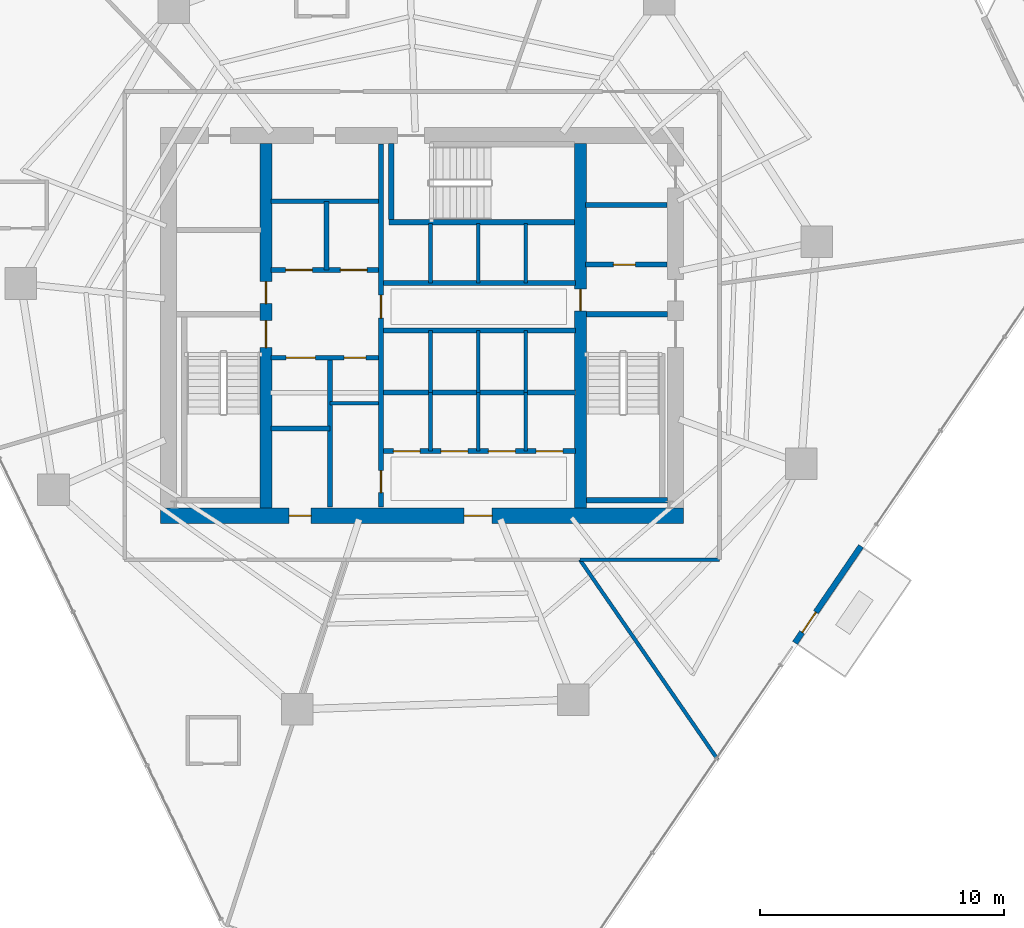
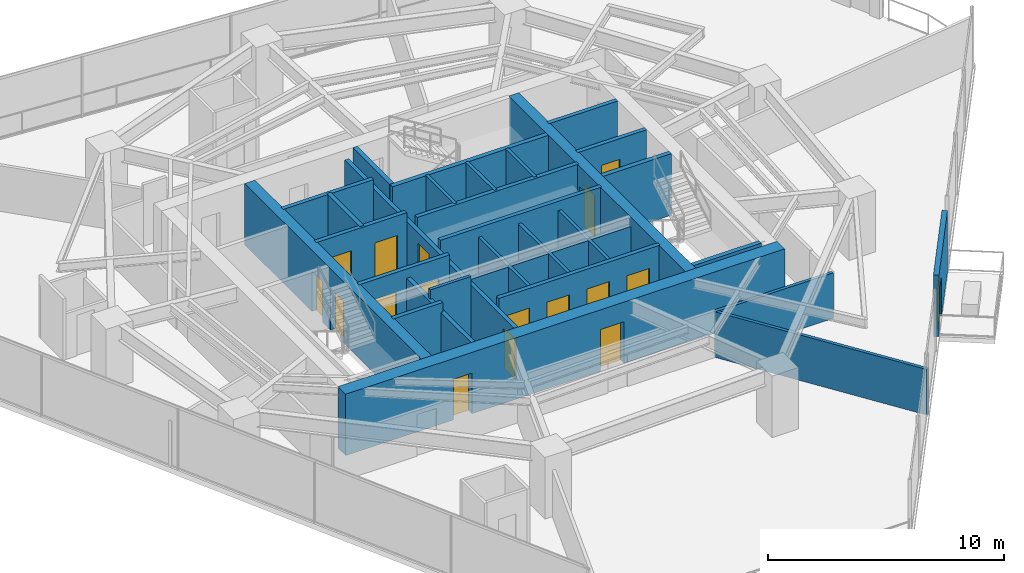
# One storey, part 26 of 30: 33 walls, 17 doors, 17 openings.
"""IFC4 building model written with IfcOpenShell, lengths in metres."""

from ifc_helpers import new_model, si_unit, direction, frame, frame_2d, origin, place, context, subcontext, project, spatial, rectangle, extrude, material, layer, layer_set, type_object, element, fill, save


model = new_model("IFC4")

# Units and contexts
model_context = context("Model", 3, precision=1e-05, world=origin(), true_north=direction((0.0, 1.0)))
body_context = subcontext(model_context, "Body", "Model", "MODEL_VIEW")
ifc_project = project(units=[si_unit("LENGTHUNIT", "METRE"), si_unit("AREAUNIT", "SQUARE_METRE"), si_unit("VOLUMEUNIT", "CUBIC_METRE"), si_unit("PLANEANGLEUNIT", "RADIAN"), si_unit("MASSUNIT", "GRAM", prefix="KILO")], contexts=[model_context])

# Site, building, storey
site_placement = place(None, origin())
site = spatial("IfcSite", under=ifc_project, at=site_placement, CompositionType="ELEMENT")
building_placement = place(site_placement, origin())
building = spatial("IfcBuilding", under=site, at=building_placement, Name="Qarnah Convention Tower", CompositionType="ELEMENT")
storey_placement = place(building_placement, frame((0.0, 0.0, 51.14990234375)))
storey = spatial("IfcBuildingStorey", under=building, at=storey_placement, Name="L12", CompositionType="ELEMENT", Elevation=51.14990234375)

# Wall, openings, doors
ifc_material_1 = material(Name="Concrete C60/75", Category="concrete")
ifc_layer_1 = layer(ifc_material_1, 0.64990234375)
ifc_layer_set_1 = layer_set([ifc_layer_1], Name="Concrete C60/75")
wall_type_1 = type_object("IfcWallType", Name="WL-CORE-650", PredefinedType="SHEAR", material=ifc_layer_set_1)
wall_1_placement = place(storey_placement, frame((26.47509765625, 18.60009765625, 0.0), z_axis=(0.0, 0.0, 1.0), x_axis=(1.0, 0.0, 0.0)))
wall_1 = element("IfcWall", 1, at=wall_1_placement, inside=storey, type_object=wall_type_1, Name="L12 core south shear wall", PredefinedType="SHEAR", context=body_context, shape_type="SweptSolid", body=[
    extrude(rectangle(XDim=21.449951171875, YDim=0.64990234375, at=frame_2d((10.72509765625, 0.0))), origin(), (0.0, 0.0, 1.0), 3.170166015625),
])
opening_1_placement = place(wall_1_placement, frame((12.449951171875, 0.0, 0.0)))
opening_1 = element("IfcOpeningElement", 2, at=opening_1_placement, cuts=wall_1, Name="Opening D-1207", PredefinedType="OPENING", context=body_context, shape_type="SweptSolid", body=[
    extrude(rectangle(XDim=1.14990234375, YDim=2.14990234375, at=frame_2d((0.574951171875, 1.074951171875))), frame((0.0, 0.3349609375, 0.0), z_axis=(0.0, -1.0, 0.0), x_axis=(1.0, 0.0, 0.0)), (0.0, 0.0, 1.0), 0.669921875),
])
opening_2_placement = place(wall_1_placement, frame((5.27490234375, 0.0, 0.0)))
opening_2 = element("IfcOpeningElement", 3, at=opening_2_placement, cuts=wall_1, Name="Opening D-1213", PredefinedType="OPENING", context=body_context, shape_type="SweptSolid", body=[
    extrude(rectangle(XDim=0.89990234375, YDim=2.10009765625, at=frame_2d((0.449951171875, 1.050048828125))), frame((0.0, 0.3349609375, 0.0), z_axis=(0.0, -1.0, 0.0), x_axis=(1.0, 0.0, 0.0)), (0.0, 0.0, 1.0), 0.669921875),
])
ifc_material_2 = material(Name="Structural steel S355JR", Category="steel")
door_type_1 = type_object("IfcDoorType", Name="DT-LOBBY-1150", OperationType="NOTDEFINED", PredefinedType="DOOR", material=ifc_material_2)
door_1_placement = place(opening_1_placement, origin())
door_1 = element("IfcDoor", 4, at=door_1_placement, inside=storey, type_object=door_type_1, Name="Door D-1207", OperationType="SINGLE_SWING_LEFT", OverallHeight=2.14990234375, OverallWidth=1.14990234375, PredefinedType="DOOR", context=body_context, shape_type="SweptSolid", body=[
    extrude(rectangle(XDim=1.14990234375, YDim=2.14990234375, at=frame_2d((0.574951171875, 1.074951171875))), frame((0.0, 0.02490234375, 0.0), z_axis=(0.0, -1.0, 0.0), x_axis=(1.0, 0.0, 0.0)), (0.0, 0.0, 1.0), 0.050048828125),
])
fill(opening_1, door_1)
door_type_2 = type_object("IfcDoorType", Name="DT-RISER-900", OperationType="NOTDEFINED", PredefinedType="DOOR", material=ifc_material_2)
door_2_placement = place(opening_2_placement, origin())
door_2 = element("IfcDoor", 5, at=door_2_placement, inside=storey, type_object=door_type_2, Name="Door D-1213", OperationType="SINGLE_SWING_LEFT", OverallHeight=2.10009765625, OverallWidth=0.89990234375, PredefinedType="DOOR", context=body_context, shape_type="SweptSolid", body=[
    extrude(rectangle(XDim=0.89990234375, YDim=2.10009765625, at=frame_2d((0.449951171875, 1.050048828125))), frame((0.0, 0.02490234375, 0.0), z_axis=(0.0, -1.0, 0.0), x_axis=(1.0, 0.0, 0.0)), (0.0, 0.0, 1.0), 0.050048828125),
])
fill(opening_2, door_2)

ifc_layer_2 = layer(ifc_material_1, 0.5)
ifc_layer_set_2 = layer_set([ifc_layer_2], Name="Concrete C60/75")
wall_type_2 = type_object("IfcWallType", Name="WL-CORE-INT-400", PredefinedType="SHEAR", material=ifc_layer_set_2)
wall_2_placement = place(storey_placement, frame((30.800048828125, 18.925048828125, 0.0), z_axis=(0.0, 0.0, 1.0), x_axis=(0.0, 1.0, 0.0)))
wall_2 = element("IfcWall", 6, at=wall_2_placement, inside=storey, type_object=wall_type_2, Name="L12 core west spine shear wall", PredefinedType="SHEAR", context=body_context, shape_type="SweptSolid", body=[
    extrude(rectangle(XDim=14.949951171875, YDim=0.5, at=frame_2d((7.47509765625, 0.0))), origin(), (0.0, 0.0, 1.0), 3.170166015625),
])
opening_3_placement = place(wall_2_placement, frame((6.574951171875, 0.0, 0.0)))
opening_3 = element("IfcOpeningElement", 7, at=opening_3_placement, cuts=wall_2, Name="Opening D-1201", PredefinedType="OPENING", context=body_context, shape_type="SweptSolid", body=[
    extrude(rectangle(XDim=1.10009765625, YDim=2.14990234375, at=frame_2d((0.550048828125, 1.074951171875))), frame((0.0, 0.260009765625, 0.0), z_axis=(0.0, -1.0, 0.0), x_axis=(1.0, 0.0, 0.0)), (0.0, 0.0, 1.0), 0.52001953125),
])
opening_4_placement = place(wall_2_placement, frame((8.375, 0.0, 0.0)))
opening_4 = element("IfcOpeningElement", 8, at=opening_4_placement, cuts=wall_2, Name="Opening D-1208", PredefinedType="OPENING", context=body_context, shape_type="SweptSolid", body=[
    extrude(rectangle(XDim=0.89990234375, YDim=2.10009765625, at=frame_2d((0.449951171875, 1.050048828125))), frame((0.0, 0.260009765625, 0.0), z_axis=(0.0, -1.0, 0.0), x_axis=(1.0, 0.0, 0.0)), (0.0, 0.0, 1.0), 0.52001953125),
])
door_3_placement = place(opening_4_placement, origin())
door_3 = element("IfcDoor", 9, at=door_3_placement, inside=storey, type_object=door_type_2, Name="Door D-1208", OperationType="SINGLE_SWING_RIGHT", OverallHeight=2.10009765625, OverallWidth=0.89990234375, PredefinedType="DOOR", context=body_context, shape_type="SweptSolid", body=[
    extrude(rectangle(XDim=0.89990234375, YDim=2.10009765625, at=frame_2d((0.449951171875, 1.050048828125))), frame((0.0, 0.02490234375, 0.0), z_axis=(0.0, -1.0, 0.0), x_axis=(1.0, 0.0, 0.0)), (0.0, 0.0, 1.0), 0.050048828125),
])
fill(opening_4, door_3)
door_type_3 = type_object("IfcDoorType", Name="DT-STAIR-1100", OperationType="NOTDEFINED", PredefinedType="DOOR", material=ifc_material_2)
door_4_placement = place(opening_3_placement, origin())
door_4 = element("IfcDoor", 10, at=door_4_placement, inside=storey, type_object=door_type_3, Name="Door D-1201", OperationType="SINGLE_SWING_LEFT", OverallHeight=2.14990234375, OverallWidth=1.10009765625, PredefinedType="DOOR", context=body_context, shape_type="SweptSolid", body=[
    extrude(rectangle(XDim=1.10009765625, YDim=2.14990234375, at=frame_2d((0.550048828125, 1.074951171875))), frame((0.0, 0.02490234375, 0.0), z_axis=(0.0, -1.0, 0.0), x_axis=(1.0, 0.0, 0.0)), (0.0, 0.0, 1.0), 0.050048828125),
])
fill(opening_3, door_4)

# Wall, opening, door
wall_3_placement = place(storey_placement, frame((43.699951171875, 18.925048828125, 0.0), z_axis=(0.0, 0.0, 1.0), x_axis=(0.0, 1.0, 0.0)))
wall_3 = element("IfcWall", 11, at=wall_3_placement, inside=storey, type_object=wall_type_2, Name="L12 core east spine shear wall", PredefinedType="SHEAR", context=body_context, shape_type="SweptSolid", body=[
    extrude(rectangle(XDim=14.949951171875, YDim=0.5, at=frame_2d((7.47509765625, 0.0))), origin(), (0.0, 0.0, 1.0), 3.170166015625),
])
opening_5_placement = place(wall_3_placement, frame((8.074951171875, 0.0, 0.0)))
opening_5 = element("IfcOpeningElement", 12, at=opening_5_placement, cuts=wall_3, Name="Opening D-1205", PredefinedType="OPENING", context=body_context, shape_type="SweptSolid", body=[
    extrude(rectangle(XDim=0.89990234375, YDim=2.10009765625, at=frame_2d((0.449951171875, 1.050048828125))), frame((0.0, 0.260009765625, 0.0), z_axis=(0.0, -1.0, 0.0), x_axis=(1.0, 0.0, 0.0)), (0.0, 0.0, 1.0), 0.52001953125),
])
door_5_placement = place(opening_5_placement, origin())
door_5 = element("IfcDoor", 13, at=door_5_placement, inside=storey, type_object=door_type_2, Name="Door D-1205", OperationType="SINGLE_SWING_LEFT", OverallHeight=2.10009765625, OverallWidth=0.89990234375, PredefinedType="DOOR", context=body_context, shape_type="SweptSolid", body=[
    extrude(rectangle(XDim=0.89990234375, YDim=2.10009765625, at=frame_2d((0.449951171875, 1.050048828125))), frame((0.0, 0.02490234375, 0.0), z_axis=(0.0, -1.0, 0.0), x_axis=(1.0, 0.0, 0.0)), (0.0, 0.0, 1.0), 0.050048828125),
])
fill(opening_5, door_5)

ifc_material_3 = material(Name="Concrete C45/55", Category="concrete")
ifc_layer_3 = layer(ifc_material_3, 0.199951171875)
ifc_layer_set_3 = layer_set([ifc_layer_3], Name="Concrete C45/55")
wall_type_3 = type_object("IfcWallType", Name="WL-CORE-PART-200", PredefinedType="SOLIDWALL", material=ifc_layer_set_3)
wall_4_placement = place(storey_placement, frame((43.89990234375, 28.89990234375, 0.0), z_axis=(0.0, 0.0, 1.0), x_axis=(1.0, 0.0, 0.0)))
wall_4 = element("IfcWall", 14, at=wall_4_placement, inside=storey, type_object=wall_type_3, Name="L12 interior wall IW-L12-EVSTN", PredefinedType="SOLIDWALL", context=body_context, shape_type="SweptSolid", body=[
    extrude(rectangle(XDim=3.35009765625, YDim=0.199951171875, at=frame_2d((1.675048828125, 0.0))), origin(), (0.0, 0.0, 1.0), 3.170166015625),
])
opening_6_placement = place(wall_4_placement, frame((1.14990234375, 0.0, 0.0)))
opening_6 = element("IfcOpeningElement", 15, at=opening_6_placement, cuts=wall_4, Name="Opening D-1211", PredefinedType="OPENING", context=body_context, shape_type="SweptSolid", body=[
    extrude(rectangle(XDim=0.89990234375, YDim=2.10009765625, at=frame_2d((0.449951171875, 1.050048828125))), frame((0.0, 0.10986328125, 0.0), z_axis=(0.0, -1.0, 0.0), x_axis=(1.0, 0.0, 0.0)), (0.0, 0.0, 1.0), 0.219970703125),
])
door_6_placement = place(opening_6_placement, origin())
door_6 = element("IfcDoor", 16, at=door_6_placement, inside=storey, type_object=door_type_2, Name="Door D-1211", OperationType="SINGLE_SWING_LEFT", OverallHeight=2.10009765625, OverallWidth=0.89990234375, PredefinedType="DOOR", context=body_context, shape_type="SweptSolid", body=[
    extrude(rectangle(XDim=0.89990234375, YDim=2.10009765625, at=frame_2d((0.449951171875, 1.050048828125))), frame((0.0, 0.02490234375, 0.0), z_axis=(0.0, -1.0, 0.0), x_axis=(1.0, 0.0, 0.0)), (0.0, 0.0, 1.0), 0.050048828125),
])
fill(opening_6, door_6)

# Wall
wall_5_placement = place(storey_placement, frame((43.89990234375, 31.35009765625, 0.0), z_axis=(0.0, 0.0, 1.0), x_axis=(1.0, 0.0, 0.0)))
element("IfcWall", 17, at=wall_5_placement, inside=storey, type_object=wall_type_3, Name="L12 interior wall IW-L12-WTRN", PredefinedType="SOLIDWALL", context=body_context, shape_type="SweptSolid", body=[
    extrude(rectangle(XDim=3.35009765625, YDim=0.199951171875, at=frame_2d((1.675048828125, 0.0))), origin(), (0.0, 0.0, 1.0), 3.170166015625),
])

# Wall, openings, doors
wall_6_placement = place(storey_placement, frame((35.52001953125, 18.949951171875, 0.0), z_axis=(0.0, 0.0, 1.0), x_axis=(0.0, 1.0, 0.0)))
wall_6 = element("IfcWall", 18, at=wall_6_placement, inside=storey, type_object=wall_type_3, Name="L12 interior wall IW-L12-CSP", PredefinedType="SOLIDWALL", context=body_context, shape_type="SweptSolid", body=[
    extrude(rectangle(XDim=14.900146484375, YDim=0.199951171875, at=frame_2d((7.4501953125, 0.0))), origin(), (0.0, 0.0, 1.0), 2.691162109375),
])
opening_7_placement = place(wall_6_placement, frame((7.7548828125, 0.0, 0.0)))
opening_7 = element("IfcOpeningElement", 19, at=opening_7_placement, cuts=wall_6, Name="Opening D-1204", PredefinedType="OPENING", context=body_context, shape_type="SweptSolid", body=[
    extrude(rectangle(XDim=0.949951171875, YDim=2.14990234375, at=frame_2d((0.47509765625, 1.074951171875))), frame((0.0, 0.10986328125, 0.0), z_axis=(0.0, -1.0, 0.0), x_axis=(1.0, 0.0, 0.0)), (0.0, 0.0, 1.0), 0.219970703125),
])
opening_8_placement = place(wall_6_placement, frame((0.60009765625, 0.0, 0.0)))
opening_8 = element("IfcOpeningElement", 20, at=opening_8_placement, cuts=wall_6, Name="Opening D-1214", PredefinedType="OPENING", context=body_context, shape_type="SweptSolid", body=[
    extrude(rectangle(XDim=0.89990234375, YDim=2.10009765625, at=frame_2d((0.449951171875, 1.050048828125))), frame((0.0, 0.10986328125, 0.0), z_axis=(0.0, -1.0, 0.0), x_axis=(1.0, 0.0, 0.0)), (0.0, 0.0, 1.0), 0.219970703125),
])
ifc_material_4 = material(Name="Oak timber veneer", Category="wood")
door_type_4 = type_object("IfcDoorType", Name="DT-HOTEL-950", OperationType="NOTDEFINED", PredefinedType="DOOR", material=ifc_material_4)
door_7_placement = place(opening_7_placement, origin())
door_7 = element("IfcDoor", 21, at=door_7_placement, inside=storey, type_object=door_type_4, Name="Door D-1204", OperationType="SINGLE_SWING_RIGHT", OverallHeight=2.14990234375, OverallWidth=0.949951171875, PredefinedType="DOOR", context=body_context, shape_type="SweptSolid", body=[
    extrude(rectangle(XDim=0.949951171875, YDim=2.14990234375, at=frame_2d((0.47509765625, 1.074951171875))), frame((0.0, 0.02490234375, 0.0), z_axis=(0.0, -1.0, 0.0), x_axis=(1.0, 0.0, 0.0)), (0.0, 0.0, 1.0), 0.050048828125),
])
fill(opening_7, door_7)
door_8_placement = place(opening_8_placement, origin())
door_8 = element("IfcDoor", 22, at=door_8_placement, inside=storey, type_object=door_type_2, Name="Door D-1214", OperationType="SINGLE_SWING_RIGHT", OverallHeight=2.10009765625, OverallWidth=0.89990234375, PredefinedType="DOOR", context=body_context, shape_type="SweptSolid", body=[
    extrude(rectangle(XDim=0.89990234375, YDim=2.10009765625, at=frame_2d((0.449951171875, 1.050048828125))), frame((0.0, 0.02490234375, 0.0), z_axis=(0.0, -1.0, 0.0), x_axis=(1.0, 0.0, 0.0)), (0.0, 0.0, 1.0), 0.050048828125),
])
fill(opening_8, door_8)

wall_7_placement = place(storey_placement, frame((31.0, 28.679931640625, 0.0), z_axis=(0.0, 0.0, 1.0), x_axis=(1.0, 0.0, 0.0)))
wall_7 = element("IfcWall", 23, at=wall_7_placement, inside=storey, type_object=wall_type_3, Name="L12 interior wall IW-L12-FFLS", PredefinedType="SOLIDWALL", context=body_context, shape_type="SweptSolid", body=[
    extrude(rectangle(XDim=4.419921875, YDim=0.199951171875, at=frame_2d((2.2099609375, 0.0))), origin(), (0.0, 0.0, 1.0), 3.170166015625),
])
opening_9_placement = place(wall_7_placement, frame((0.60009765625, 0.0, 0.0)))
opening_9 = element("IfcOpeningElement", 24, at=opening_9_placement, cuts=wall_7, Name="Opening LD-1201", PredefinedType="OPENING", context=body_context, shape_type="SweptSolid", body=[
    extrude(rectangle(XDim=1.10009765625, YDim=2.14990234375, at=frame_2d((0.550048828125, 1.074951171875))), frame((0.0, 0.10986328125, 0.0), z_axis=(0.0, -1.0, 0.0), x_axis=(1.0, 0.0, 0.0)), (0.0, 0.0, 1.0), 0.219970703125),
])
opening_10_placement = place(wall_7_placement, frame((2.85009765625, 0.0, 0.0)))
opening_10 = element("IfcOpeningElement", 25, at=opening_10_placement, cuts=wall_7, Name="Opening LD-1202", PredefinedType="OPENING", context=body_context, shape_type="SweptSolid", body=[
    extrude(rectangle(XDim=1.10009765625, YDim=2.14990234375, at=frame_2d((0.550048828125, 1.074951171875))), frame((0.0, 0.10986328125, 0.0), z_axis=(0.0, -1.0, 0.0), x_axis=(1.0, 0.0, 0.0)), (0.0, 0.0, 1.0), 0.219970703125),
])
door_type_5 = type_object("IfcDoorType", Name="DT-LIFT-1100", OperationType="SLIDING_TO_LEFT", PredefinedType="DOOR", material=ifc_material_2)
door_9_placement = place(opening_9_placement, origin())
door_9 = element("IfcDoor", 26, at=door_9_placement, inside=storey, type_object=door_type_5, Name="Door LD-1201", OperationType="SLIDING_TO_LEFT", OverallHeight=2.14990234375, OverallWidth=1.10009765625, PredefinedType="DOOR", context=body_context, shape_type="SweptSolid", body=[
    extrude(rectangle(XDim=1.10009765625, YDim=2.14990234375, at=frame_2d((0.550048828125, 1.074951171875))), frame((0.0, 0.02490234375, 0.0), z_axis=(0.0, -1.0, 0.0), x_axis=(1.0, 0.0, 0.0)), (0.0, 0.0, 1.0), 0.050048828125),
])
fill(opening_9, door_9)
door_10_placement = place(opening_10_placement, origin())
door_10 = element("IfcDoor", 27, at=door_10_placement, inside=storey, type_object=door_type_5, Name="Door LD-1202", OperationType="SLIDING_TO_LEFT", OverallHeight=2.14990234375, OverallWidth=1.10009765625, PredefinedType="DOOR", context=body_context, shape_type="SweptSolid", body=[
    extrude(rectangle(XDim=1.10009765625, YDim=2.14990234375, at=frame_2d((0.550048828125, 1.074951171875))), frame((0.0, 0.02490234375, 0.0), z_axis=(0.0, -1.0, 0.0), x_axis=(1.0, 0.0, 0.0)), (0.0, 0.0, 1.0), 0.050048828125),
])
fill(opening_10, door_10)

# Walls
wall_8_placement = place(storey_placement, frame((31.0, 31.5, 0.0), z_axis=(0.0, 0.0, 1.0), x_axis=(1.0, 0.0, 0.0)))
element("IfcWall", 28, at=wall_8_placement, inside=storey, type_object=wall_type_3, Name="L12 interior wall IW-L12-FFLN", PredefinedType="SOLIDWALL", context=body_context, shape_type="SweptSolid", body=[
    extrude(rectangle(XDim=4.419921875, YDim=0.199951171875, at=frame_2d((2.2099609375, 0.0))), origin(), (0.0, 0.0, 1.0), 3.170166015625),
])
wall_9_placement = place(storey_placement, frame((33.280029296875, 28.679931640625, 0.0), z_axis=(0.0, 0.0, 1.0), x_axis=(0.0, 1.0, 0.0)))
element("IfcWall", 29, at=wall_9_placement, inside=storey, type_object=wall_type_3, Name="L12 interior wall IW-L12-FFLM", PredefinedType="SOLIDWALL", context=body_context, shape_type="SweptSolid", body=[
    extrude(rectangle(XDim=2.820068359375, YDim=0.199951171875, at=frame_2d((1.41015625, 0.0))), origin(), (0.0, 0.0, 1.0), 3.170166015625),
])

# Wall, openings, doors
wall_10_placement = place(storey_placement, frame((31.0, 25.080078125, 0.0), z_axis=(0.0, 0.0, 1.0), x_axis=(1.0, 0.0, 0.0)))
wall_10 = element("IfcWall", 30, at=wall_10_placement, inside=storey, type_object=wall_type_3, Name="L12 interior wall IW-L12-FFLBS", PredefinedType="SOLIDWALL", context=body_context, shape_type="SweptSolid", body=[
    extrude(rectangle(XDim=4.419921875, YDim=0.199951171875, at=frame_2d((2.2099609375, 0.0))), origin(), (0.0, 0.0, 1.0), 3.170166015625),
])
opening_11_placement = place(wall_10_placement, frame((3.0, 0.0, 0.0)))
opening_11 = element("IfcOpeningElement", 31, at=opening_11_placement, cuts=wall_10, Name="Opening D-1215", PredefinedType="OPENING", context=body_context, shape_type="SweptSolid", body=[
    extrude(rectangle(XDim=0.89990234375, YDim=2.10009765625, at=frame_2d((0.449951171875, 1.050048828125))), frame((0.0, 0.10986328125, 0.0), z_axis=(0.0, -1.0, 0.0), x_axis=(1.0, 0.0, 0.0)), (0.0, 0.0, 1.0), 0.219970703125),
])
opening_12_placement = place(wall_10_placement, frame((0.6201171875, 0.0, 0.0)))
opening_12 = element("IfcOpeningElement", 32, at=opening_12_placement, cuts=wall_10, Name="Opening LD-1203", PredefinedType="OPENING", context=body_context, shape_type="SweptSolid", body=[
    extrude(rectangle(XDim=1.199951171875, YDim=2.14990234375, at=frame_2d((0.60009765625, 1.074951171875))), frame((0.0, 0.10986328125, 0.0), z_axis=(0.0, -1.0, 0.0), x_axis=(1.0, 0.0, 0.0)), (0.0, 0.0, 1.0), 0.219970703125),
])
door_type_6 = type_object("IfcDoorType", Name="DT-LIFT-1200", OperationType="SLIDING_TO_LEFT", PredefinedType="DOOR", material=ifc_material_2)
door_11_placement = place(opening_12_placement, origin())
door_11 = element("IfcDoor", 33, at=door_11_placement, inside=storey, type_object=door_type_6, Name="Door LD-1203", OperationType="SLIDING_TO_LEFT", OverallHeight=2.14990234375, OverallWidth=1.199951171875, PredefinedType="DOOR", context=body_context, shape_type="SweptSolid", body=[
    extrude(rectangle(XDim=1.199951171875, YDim=2.14990234375, at=frame_2d((0.60009765625, 1.074951171875))), frame((0.0, 0.02490234375, 0.0), z_axis=(0.0, -1.0, 0.0), x_axis=(1.0, 0.0, 0.0)), (0.0, 0.0, 1.0), 0.050048828125),
])
fill(opening_12, door_11)
door_12_placement = place(opening_11_placement, origin())
door_12 = element("IfcDoor", 34, at=door_12_placement, inside=storey, type_object=door_type_2, Name="Door D-1215", OperationType="SINGLE_SWING_LEFT", OverallHeight=2.10009765625, OverallWidth=0.89990234375, PredefinedType="DOOR", context=body_context, shape_type="SweptSolid", body=[
    extrude(rectangle(XDim=0.89990234375, YDim=2.10009765625, at=frame_2d((0.449951171875, 1.050048828125))), frame((0.0, 0.02490234375, 0.0), z_axis=(0.0, -1.0, 0.0), x_axis=(1.0, 0.0, 0.0)), (0.0, 0.0, 1.0), 0.050048828125),
])
fill(opening_11, door_12)

# Walls
wall_11_placement = place(storey_placement, frame((33.419921875, 18.949951171875, 0.0), z_axis=(0.0, 0.0, 1.0), x_axis=(0.0, 1.0, 0.0)))
element("IfcWall", 35, at=wall_11_placement, inside=storey, type_object=wall_type_3, Name="L12 interior wall IW-L12-SVLE", PredefinedType="SOLIDWALL", context=body_context, shape_type="SweptSolid", body=[
    extrude(rectangle(XDim=6.130126953125, YDim=0.199951171875, at=frame_2d((3.06494140625, 0.0))), origin(), (0.0, 0.0, 1.0), 2.691162109375),
])
wall_12_placement = place(storey_placement, frame((31.0, 22.179931640625, 0.0), z_axis=(0.0, 0.0, 1.0), x_axis=(1.0, 0.0, 0.0)))
element("IfcWall", 36, at=wall_12_placement, inside=storey, type_object=wall_type_3, Name="L12 interior wall IW-L12-SVLS", PredefinedType="SOLIDWALL", context=body_context, shape_type="SweptSolid", body=[
    extrude(rectangle(XDim=2.419921875, YDim=0.199951171875, at=frame_2d((1.2099609375, 0.0))), origin(), (0.0, 0.0, 1.0), 3.170166015625),
])
for number, where, z_axis, x_axis, name in (
    (37, (35.6201171875, 28.14990234375, 0.0), (0.0, 0.0, 1.0), (1.0, 0.0, 0.0), "L12 interior wall IW-L12-PHS"),
    (38, (35.6201171875, 26.199951171875, 0.0), (0.0, 0.0, 1.0), (1.0, 0.0, 0.0), "L12 interior wall IW-L12-PMN"),
):
    element("IfcWall", number, at=place(storey_placement, frame(where, z_axis=z_axis, x_axis=x_axis)), inside=storey, type_object=wall_type_3, Name=name, PredefinedType="SOLIDWALL", context=body_context, shape_type="SweptSolid", body=[
        extrude(rectangle(XDim=7.8798828125, YDim=0.199951171875, at=frame_2d((3.93994140625, 0.0))), origin(), (0.0, 0.0, 1.0), 3.170166015625),
    ])
wall_13_placement = place(storey_placement, frame((35.6201171875, 23.64990234375, 0.0), z_axis=(0.0, 0.0, 1.0), x_axis=(1.0, 0.0, 0.0)))
element("IfcWall", 39, at=wall_13_placement, inside=storey, type_object=wall_type_3, Name="L12 interior wall IW-L12-PMPL", PredefinedType="SOLIDWALL", context=body_context, shape_type="SweptSolid", body=[
    extrude(rectangle(XDim=7.8798828125, YDim=0.199951171875, at=frame_2d((3.93994140625, 0.0))), origin(), (0.0, 0.0, 1.0), 2.691162109375),
])

# Wall, openings, doors
wall_14_placement = place(storey_placement, frame((35.6201171875, 21.25, 0.0), z_axis=(0.0, 0.0, 1.0), x_axis=(1.0, 0.0, 0.0)))
wall_14 = element("IfcWall", 40, at=wall_14_placement, inside=storey, type_object=wall_type_3, Name="L12 interior wall IW-L12-PLS", PredefinedType="SOLIDWALL", context=body_context, shape_type="SweptSolid", body=[
    extrude(rectangle(XDim=7.8798828125, YDim=0.199951171875, at=frame_2d((3.93994140625, 0.0))), origin(), (0.0, 0.0, 1.0), 3.170166015625),
])
opening_13_placement = place(wall_14_placement, frame((0.405029296875, 0.0, 0.0)))
opening_13 = element("IfcOpeningElement", 41, at=opening_13_placement, cuts=wall_14, Name="Opening LD-1204", PredefinedType="OPENING", context=body_context, shape_type="SweptSolid", body=[
    extrude(rectangle(XDim=1.10009765625, YDim=2.14990234375, at=frame_2d((0.550048828125, 1.074951171875))), frame((0.0, 0.10986328125, 0.0), z_axis=(0.0, -1.0, 0.0), x_axis=(1.0, 0.0, 0.0)), (0.0, 0.0, 1.0), 0.219970703125),
])
opening_14_placement = place(wall_14_placement, frame((2.35498046875, 0.0, 0.0)))
opening_14 = element("IfcOpeningElement", 42, at=opening_14_placement, cuts=wall_14, Name="Opening LD-1205", PredefinedType="OPENING", context=body_context, shape_type="SweptSolid", body=[
    extrude(rectangle(XDim=1.10009765625, YDim=2.14990234375, at=frame_2d((0.550048828125, 1.074951171875))), frame((0.0, 0.10986328125, 0.0), z_axis=(0.0, -1.0, 0.0), x_axis=(1.0, 0.0, 0.0)), (0.0, 0.0, 1.0), 0.219970703125),
])
opening_15_placement = place(wall_14_placement, frame((4.304931640625, 0.0, 0.0)))
opening_15 = element("IfcOpeningElement", 43, at=opening_15_placement, cuts=wall_14, Name="Opening LD-1206", PredefinedType="OPENING", context=body_context, shape_type="SweptSolid", body=[
    extrude(rectangle(XDim=1.10009765625, YDim=2.14990234375, at=frame_2d((0.550048828125, 1.074951171875))), frame((0.0, 0.10986328125, 0.0), z_axis=(0.0, -1.0, 0.0), x_axis=(1.0, 0.0, 0.0)), (0.0, 0.0, 1.0), 0.219970703125),
])
opening_16_placement = place(wall_14_placement, frame((6.2548828125, 0.0, 0.0)))
opening_16 = element("IfcOpeningElement", 44, at=opening_16_placement, cuts=wall_14, Name="Opening LD-1207", PredefinedType="OPENING", context=body_context, shape_type="SweptSolid", body=[
    extrude(rectangle(XDim=1.10009765625, YDim=2.14990234375, at=frame_2d((0.550048828125, 1.074951171875))), frame((0.0, 0.10986328125, 0.0), z_axis=(0.0, -1.0, 0.0), x_axis=(1.0, 0.0, 0.0)), (0.0, 0.0, 1.0), 0.219970703125),
])
door_13_placement = place(opening_13_placement, origin())
door_13 = element("IfcDoor", 45, at=door_13_placement, inside=storey, type_object=door_type_5, Name="Door LD-1204", OperationType="SLIDING_TO_LEFT", OverallHeight=2.14990234375, OverallWidth=1.10009765625, PredefinedType="DOOR", context=body_context, shape_type="SweptSolid", body=[
    extrude(rectangle(XDim=1.10009765625, YDim=2.14990234375, at=frame_2d((0.550048828125, 1.074951171875))), frame((0.0, 0.02490234375, 0.0), z_axis=(0.0, -1.0, 0.0), x_axis=(1.0, 0.0, 0.0)), (0.0, 0.0, 1.0), 0.050048828125),
])
fill(opening_13, door_13)
door_14_placement = place(opening_14_placement, origin())
door_14 = element("IfcDoor", 46, at=door_14_placement, inside=storey, type_object=door_type_5, Name="Door LD-1205", OperationType="SLIDING_TO_LEFT", OverallHeight=2.14990234375, OverallWidth=1.10009765625, PredefinedType="DOOR", context=body_context, shape_type="SweptSolid", body=[
    extrude(rectangle(XDim=1.10009765625, YDim=2.14990234375, at=frame_2d((0.550048828125, 1.074951171875))), frame((0.0, 0.02490234375, 0.0), z_axis=(0.0, -1.0, 0.0), x_axis=(1.0, 0.0, 0.0)), (0.0, 0.0, 1.0), 0.050048828125),
])
fill(opening_14, door_14)
door_15_placement = place(opening_15_placement, origin())
door_15 = element("IfcDoor", 47, at=door_15_placement, inside=storey, type_object=door_type_5, Name="Door LD-1206", OperationType="SLIDING_TO_LEFT", OverallHeight=2.14990234375, OverallWidth=1.10009765625, PredefinedType="DOOR", context=body_context, shape_type="SweptSolid", body=[
    extrude(rectangle(XDim=1.10009765625, YDim=2.14990234375, at=frame_2d((0.550048828125, 1.074951171875))), frame((0.0, 0.02490234375, 0.0), z_axis=(0.0, -1.0, 0.0), x_axis=(1.0, 0.0, 0.0)), (0.0, 0.0, 1.0), 0.050048828125),
])
fill(opening_15, door_15)
door_16_placement = place(opening_16_placement, origin())
door_16 = element("IfcDoor", 48, at=door_16_placement, inside=storey, type_object=door_type_5, Name="Door LD-1207", OperationType="SLIDING_TO_LEFT", OverallHeight=2.14990234375, OverallWidth=1.10009765625, PredefinedType="DOOR", context=body_context, shape_type="SweptSolid", body=[
    extrude(rectangle(XDim=1.10009765625, YDim=2.14990234375, at=frame_2d((0.550048828125, 1.074951171875))), frame((0.0, 0.02490234375, 0.0), z_axis=(0.0, -1.0, 0.0), x_axis=(1.0, 0.0, 0.0)), (0.0, 0.0, 1.0), 0.050048828125),
])
fill(opening_16, door_16)

# Walls
ifc_layer_4 = layer(ifc_material_1, 0.219970703125)
ifc_layer_set_4 = layer_set([ifc_layer_4], Name="Concrete C60/75")
wall_type_4 = type_object("IfcWallType", Name="WL-CORE-STAIR-220", PredefinedType="SHEAR", material=ifc_layer_set_4)
for number, where, z_axis, x_axis, name in (
    (49, (43.949951171875, 26.860107421875, 0.0), (0.0, 0.0, 1.0), (1.0, 0.0, 0.0), "L12 stair shaft shear wall SW-L12-ST2N"),
    (50, (43.949951171875, 19.239990234375, 0.0), (0.0, 0.0, 1.0), (1.0, 0.0, 0.0), "L12 stair shaft shear wall SW-L12-ST2S"),
):
    element("IfcWall", number, at=place(storey_placement, frame(where, z_axis=z_axis, x_axis=x_axis)), inside=storey, type_object=wall_type_4, Name=name, PredefinedType="SHEAR", context=body_context, shape_type="SweptSolid", body=[
        extrude(rectangle(XDim=3.324951171875, YDim=0.219970703125, at=frame_2d((1.66259765625, 0.0))), origin(), (0.0, 0.0, 1.0), 3.170166015625),
    ])
wall_15_placement = place(storey_placement, frame((35.840087890625, 30.639892578125, 0.0), z_axis=(0.0, 0.0, 1.0), x_axis=(1.0, 0.0, 0.0)))
element("IfcWall", 51, at=wall_15_placement, inside=storey, type_object=wall_type_4, Name="L12 stair shaft shear wall SW-L12-ST3S", PredefinedType="SHEAR", context=body_context, shape_type="SweptSolid", body=[
    extrude(rectangle(XDim=7.60986328125, YDim=0.219970703125, at=frame_2d((3.804931640625, 0.0))), origin(), (0.0, 0.0, 1.0), 3.170166015625),
])
wall_16_placement = place(storey_placement, frame((35.93994140625, 30.75, 0.0), z_axis=(0.0, 0.0, 1.0), x_axis=(0.0, 1.0, 0.0)))
element("IfcWall", 52, at=wall_16_placement, inside=storey, type_object=wall_type_4, Name="L12 stair shaft shear wall SW-L12-ST3W", PredefinedType="SHEAR", context=body_context, shape_type="SweptSolid", body=[
    extrude(rectangle(XDim=3.125, YDim=0.219970703125, at=frame_2d((1.5625, 0.0))), origin(), (0.0, 0.0, 1.0), 3.170166015625),
])

# Wall, opening, door
ifc_material_5 = material(Name="Precast concrete C45/55", Category="concrete")
ifc_layer_5 = layer(ifc_material_5, 0.239990234375)
ifc_layer_set_5 = layer_set([ifc_layer_5], Name="Precast concrete C45/55")
wall_type_5 = type_object("IfcWallType", Name="WL-EXT-BAL-240", PredefinedType="SOLIDWALL", material=ifc_layer_set_5)
wall_17_placement = place(storey_placement, frame((55.2060546875, 17.35302734375, 0.0), z_axis=(0.0, 0.0, 1.0), x_axis=(-0.563937959306, -0.825817157761, 0.0)))
wall_17 = element("IfcWall", 53, at=wall_17_placement, inside=storey, type_object=wall_type_5, Name="L12 loggia threshold wall VN-L12", PredefinedType="SOLIDWALL", context=body_context, shape_type="SweptSolid", body=[
    extrude(rectangle(XDim=4.80029296875, YDim=0.239990234375, at=frame_2d((2.400146484375, 0.0))), origin(), (0.0, 0.0, 1.0), 3.170166015625),
])
opening_17_placement = place(wall_17_placement, frame((3.280029296875, 0.0, 0.0)))
opening_17 = element("IfcOpeningElement", 54, at=opening_17_placement, cuts=wall_17, Name="Opening BD-1203", PredefinedType="OPENING", context=body_context, shape_type="SweptSolid", body=[
    extrude(rectangle(XDim=1.0, YDim=2.14990234375, at=frame_2d((0.5, 1.074951171875))), frame((0.0, 0.1298828125, 0.0), z_axis=(0.0, -1.0, 0.0), x_axis=(1.0, 0.0, 0.0)), (0.0, 0.0, 1.0), 0.260009765625),
])
ifc_material_6 = material(Name="Black anodised aluminium", Category="aluminium")
door_type_7 = type_object("IfcDoorType", Name="DT-BAL-1000", OperationType="NOTDEFINED", PredefinedType="DOOR", material=ifc_material_6)
door_17_placement = place(opening_17_placement, origin())
door_17 = element("IfcDoor", 55, at=door_17_placement, inside=storey, type_object=door_type_7, Name="L12 balcony terrace door VN-L12", OperationType="SINGLE_SWING_RIGHT", OverallHeight=2.14990234375, OverallWidth=1.0, PredefinedType="DOOR", context=body_context, shape_type="SweptSolid", body=[
    extrude(rectangle(XDim=1.0, YDim=2.14990234375, at=frame_2d((0.5, 1.074951171875))), frame((0.0, 0.02490234375, 0.0), z_axis=(0.0, -1.0, 0.0), x_axis=(1.0, 0.0, 0.0)), (0.0, 0.0, 1.0), 0.050048828125),
])
fill(opening_17, door_17)

# Walls
ifc_material_7 = material(Name="Gypsum partition board")
ifc_layer_6 = layer(ifc_material_7, 0.14990234375)
ifc_layer_set_6 = layer_set([ifc_layer_6], Name="Gypsum partition board")
wall_type_6 = type_object("IfcWallType", Name="WL-SUITE-150", PredefinedType="PARTITIONING", material=ifc_layer_set_6)
wall_18_placement = place(storey_placement, frame((33.419921875, 23.219970703125, 0.0), z_axis=(0.0, 0.0, 1.0), x_axis=(1.0, 0.0, 0.0)))
element("IfcWall", 56, at=wall_18_placement, inside=storey, type_object=wall_type_6, Name="L12 interior wall IW-L12-CSV1", PredefinedType="PARTITIONING", context=body_context, shape_type="SweptSolid", body=[
    extrude(rectangle(XDim=2.0, YDim=0.14990234375, at=frame_2d((1.0, 0.0))), origin(), (0.0, 0.0, 1.0), 3.170166015625),
])
for number, where, z_axis, x_axis, name in (
    (57, (37.550048828125, 28.14990234375, 0.0), (0.0, 0.0, 1.0), (0.0, 1.0, 0.0), "L12 interior wall IW-L12-PHD1"),
    (58, (39.5, 28.14990234375, 0.0), (0.0, 0.0, 1.0), (0.0, 1.0, 0.0), "L12 interior wall IW-L12-PHD2"),
    (59, (41.449951171875, 28.14990234375, 0.0), (0.0, 0.0, 1.0), (0.0, 1.0, 0.0), "L12 interior wall IW-L12-PHD3"),
):
    element("IfcWall", number, at=place(storey_placement, frame(where, z_axis=z_axis, x_axis=x_axis)), inside=storey, type_object=wall_type_6, Name=name, PredefinedType="PARTITIONING", context=body_context, shape_type="SweptSolid", body=[
        extrude(rectangle(XDim=2.43017578125, YDim=0.14990234375, at=frame_2d((1.215087890625, 0.0))), origin(), (0.0, 0.0, 1.0), 3.170166015625),
    ])
for number, where, z_axis, x_axis, name in (
    (60, (37.550048828125, 23.64990234375, 0.0), (0.0, 0.0, 1.0), (0.0, 1.0, 0.0), "L12 interior wall IW-L12-PMD1"),
    (61, (39.5, 23.64990234375, 0.0), (0.0, 0.0, 1.0), (0.0, 1.0, 0.0), "L12 interior wall IW-L12-PMD2"),
    (62, (41.449951171875, 23.64990234375, 0.0), (0.0, 0.0, 1.0), (0.0, 1.0, 0.0), "L12 interior wall IW-L12-PMD3"),
):
    element("IfcWall", number, at=place(storey_placement, frame(where, z_axis=z_axis, x_axis=x_axis)), inside=storey, type_object=wall_type_6, Name=name, PredefinedType="PARTITIONING", context=body_context, shape_type="SweptSolid", body=[
        extrude(rectangle(XDim=2.550048828125, YDim=0.14990234375, at=frame_2d((1.27490234375, 0.0))), origin(), (0.0, 0.0, 1.0), 2.691162109375),
    ])
for number, where, z_axis, x_axis, name in (
    (63, (37.550048828125, 21.25, 0.0), (0.0, 0.0, 1.0), (0.0, 1.0, 0.0), "L12 interior wall IW-L12-PLD1"),
    (64, (39.5, 21.25, 0.0), (0.0, 0.0, 1.0), (0.0, 1.0, 0.0), "L12 interior wall IW-L12-PLD2"),
    (65, (41.449951171875, 21.25, 0.0), (0.0, 0.0, 1.0), (0.0, 1.0, 0.0), "L12 interior wall IW-L12-PLD3"),
):
    element("IfcWall", number, at=place(storey_placement, frame(where, z_axis=z_axis, x_axis=x_axis)), inside=storey, type_object=wall_type_6, Name=name, PredefinedType="PARTITIONING", context=body_context, shape_type="SweptSolid", body=[
        extrude(rectangle(XDim=2.39990234375, YDim=0.14990234375, at=frame_2d((1.199951171875, 0.0))), origin(), (0.0, 0.0, 1.0), 2.691162109375),
    ])
wall_19_placement = place(storey_placement, frame((49.320068359375, 8.614990234375, 0.0), z_axis=(0.0, 0.0, 1.0), x_axis=(-0.567743283975, 0.823205662943, 0.0)))
element("IfcWall", 66, at=wall_19_placement, inside=storey, type_object=wall_type_6, Name="L12 interior wall IW-L12-R-28", PredefinedType="PARTITIONING", context=body_context, shape_type="SweptSolid", body=[
    extrude(rectangle(XDim=9.94287109375, YDim=0.14990234375, at=frame_2d((4.971435546875, 0.0))), origin(), (0.0, 0.0, 1.0), 2.35498046875),
])
wall_20_placement = place(storey_placement, frame((49.39990234375, 16.800048828125, 0.0), z_axis=(0.0, 0.0, 1.0), x_axis=(-1.0, 0.0, 0.0)))
element("IfcWall", 67, at=wall_20_placement, inside=storey, type_object=wall_type_6, Name="L12 interior wall IW-L12-R-32", PredefinedType="PARTITIONING", context=body_context, shape_type="SweptSolid", body=[
    extrude(rectangle(XDim=5.724853515625, YDim=0.14990234375, at=frame_2d((2.8623046875, 0.0))), origin(), (0.0, 0.0, 1.0), 2.35498046875),
])

save(model, "model.ifc")
